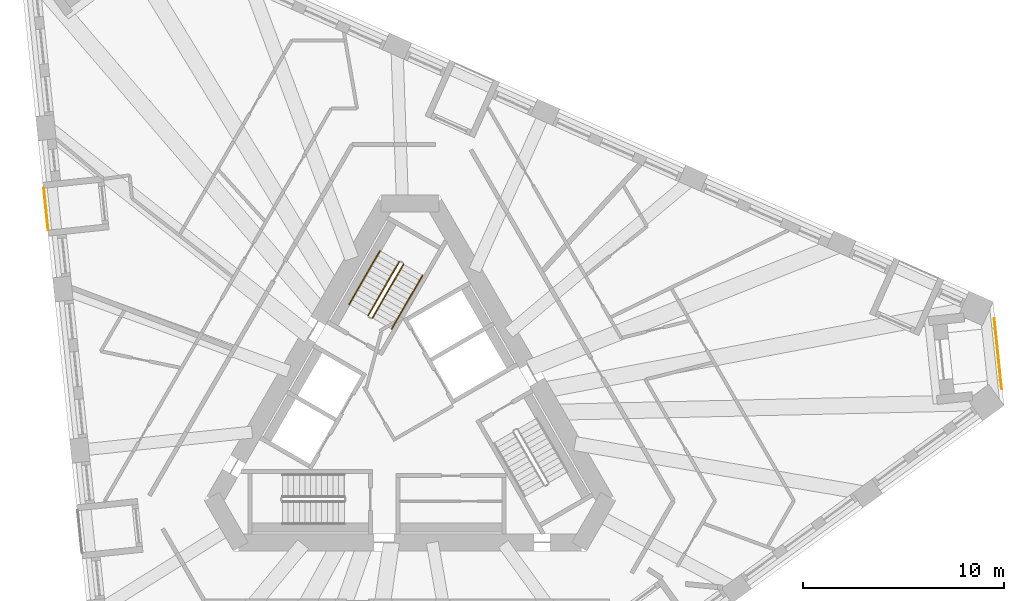
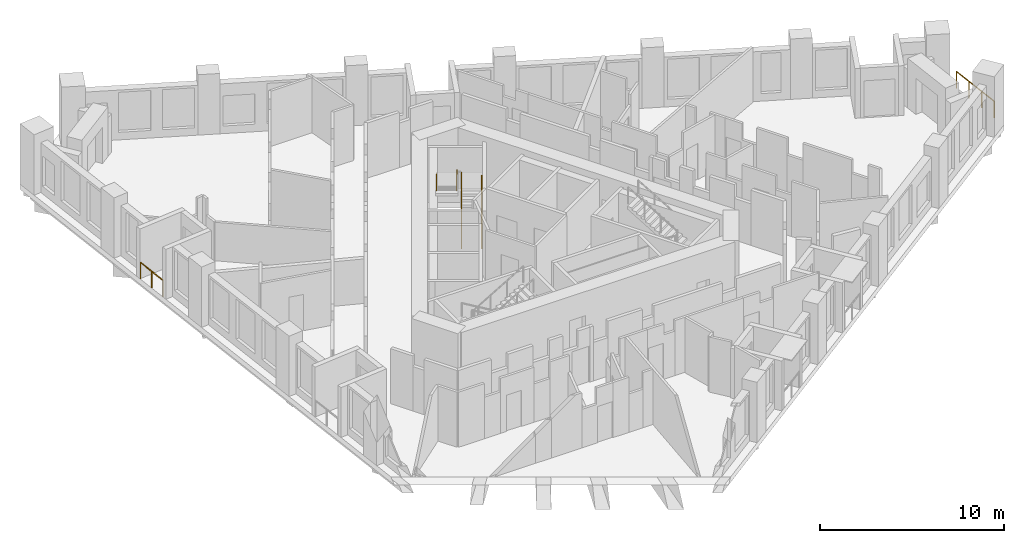
# One storey, part 12 of 14: 6 railings.
"""IFC4 building model written with IfcOpenShell, lengths in metres."""

from ifc_helpers import new_model, si_unit, direction, frame, origin, origin_2d, place, context, subcontext, project, spatial, circle, extrude, material, type_object, element, save


model = new_model("IFC4")

# Units and contexts
model_context = context("Model", 3, precision=1e-05, world=origin(), true_north=direction((0.0, 1.0)))
body_context = subcontext(model_context, "Body", "Model", "MODEL_VIEW")
ifc_project = project(units=[si_unit("LENGTHUNIT", "METRE"), si_unit("AREAUNIT", "SQUARE_METRE"), si_unit("VOLUMEUNIT", "CUBIC_METRE"), si_unit("PLANEANGLEUNIT", "RADIAN"), si_unit("MASSUNIT", "GRAM", prefix="KILO")], contexts=[model_context])

# Site, building, storey
site_placement = place(None, origin())
site = spatial("IfcSite", under=ifc_project, at=site_placement, CompositionType="ELEMENT")
building_placement = place(site_placement, origin())
building = spatial("IfcBuilding", under=site, at=building_placement, Name="Tramontana Tower", CompositionType="ELEMENT")
storey_placement = place(building_placement, frame((0.0, 0.0, 190.800048828125)))
storey = spatial("IfcBuildingStorey", under=building, at=storey_placement, Name="L44", CompositionType="ELEMENT", Elevation=190.800048828125)

# Railings
ifc_material_1 = material(Name="Laminated glass balustrade", Category="glass")
railing_type_1 = type_object("IfcRailingType", Name="GD1 Loggia glass balustrade 1100", PredefinedType="BALUSTRADE", material=ifc_material_1)
railing_1_placement = place(storey_placement, frame((-18.25390625, 11.325439453125, 0.0)))
element("IfcRailing", 1, at=railing_1_placement, inside=storey, type_object=railing_type_1, Name="Loggia balustrade L44 G4S0.4", PredefinedType="BALUSTRADE", context=body_context, shape_type="SweptSolid", body=[
    extrude(circle(Radius=0.02392578125, at=origin_2d()), frame((0.0, 0.0, 1.076171875), z_axis=(0.104569484464, -0.994517583011, 0.0), x_axis=(0.994517583011, 0.104569484464, 0.0)), (0.0, 0.0, 1.0), 2.09423828125),
    extrude(circle(Radius=0.02099609375, at=origin_2d()), origin(), (0.0, 0.0, 1.0), 1.052001953125),
    extrude(circle(Radius=0.02099609375, at=origin_2d()), frame((0.109375, -1.04150390625, 0.0)), (0.0, 0.0, 1.0), 1.052001953125),
    extrude(circle(Radius=0.02099609375, at=origin_2d()), frame((0.218994140625, -2.082763671875, 0.0)), (0.0, 0.0, 1.0), 1.052001953125),
])
railing_2_placement = place(storey_placement, frame((29.125732421875, 4.82080078125, 0.0)))
element("IfcRailing", 2, at=railing_2_placement, inside=storey, type_object=railing_type_1, Name="Corner loggia balustrade L44 K42", PredefinedType="BALUSTRADE", context=body_context, shape_type="SweptSolid", body=[
    extrude(circle(Radius=0.02392578125, at=origin_2d()), frame((0.0, 0.0, 1.076171875), z_axis=(0.104495960989, -0.994525310958, 0.0), x_axis=(0.994525310958, 0.104495960989, 0.0)), (0.0, 0.0, 1.0), 3.499755859375),
    extrude(circle(Radius=0.02099609375, at=origin_2d()), origin(), (0.0, 0.0, 1.0), 1.052001953125),
    extrude(circle(Radius=0.02099609375, at=origin_2d()), frame((0.121826171875, -1.16015625, 0.0)), (0.0, 0.0, 1.0), 1.052001953125),
    extrude(circle(Radius=0.02099609375, at=origin_2d()), frame((0.243896484375, -2.320556640625, 0.0)), (0.0, 0.0, 1.0), 1.052001953125),
    extrude(circle(Radius=0.02099609375, at=origin_2d()), frame((0.36572265625, -3.480712890625, 0.0)), (0.0, 0.0, 1.0), 1.052001953125),
])
ifc_material_2 = material(Name="Painted steel", Category="steel")
railing_type_2 = type_object("IfcRailingType", Name="STAIR GUARD 1100", PredefinedType="GUARDRAIL", material=ifc_material_2)
railing_3_placement = place(storey_placement, frame((-1.867431640625, 4.865478515625, 0.16650390625)))
element("IfcRailing", 3, at=railing_3_placement, inside=storey, type_object=railing_type_2, Name="L44 ST1 stair guard 1", PredefinedType="GUARDRAIL", context=body_context, shape_type="SweptSolid", body=[
    extrude(circle(Radius=0.02392578125, at=origin_2d()), frame((0.0, 0.0, 1.076171875), z_axis=(0.429634447492, 0.7441639146, 0.511502013422), x_axis=(-0.866029832698, 0.499992328818, 0.0)), (0.0, 0.0, 1.0), 3.58447265625),
    extrude(circle(Radius=0.02099609375, at=origin_2d()), origin(), (0.0, 0.0, 1.0), 1.052001953125),
    extrude(circle(Radius=0.02099609375, at=origin_2d()), frame((0.513427734375, 0.88916015625, 0.611083984375)), (0.0, 0.0, 1.0), 1.052001953125),
    extrude(circle(Radius=0.02099609375, at=origin_2d()), frame((1.026611328125, 1.7783203125, 1.222412109375)), (0.0, 0.0, 1.0), 1.052001953125),
    extrude(circle(Radius=0.02099609375, at=origin_2d()), frame((1.5400390625, 2.66748046875, 1.83349609375)), (0.0, 0.0, 1.0), 1.052001953125),
])
railing_4_placement = place(storey_placement, frame((-0.5439453125, 7.657958984375, 2.16650390625)))
element("IfcRailing", 4, at=railing_4_placement, inside=storey, type_object=railing_type_2, Name="L44 ST1 stair guard 2", PredefinedType="GUARDRAIL", context=body_context, shape_type="SweptSolid", body=[
    extrude(circle(Radius=0.02392578125, at=origin_2d()), frame((0.0, 0.0, 1.076171875), z_axis=(-0.429634447492, -0.7441639146, 0.511502013422), x_axis=(0.866029832698, -0.499992328818, 0.0)), (0.0, 0.0, 1.0), 3.58447265625),
    extrude(circle(Radius=0.02099609375, at=origin_2d()), origin(), (0.0, 0.0, 1.0), 1.052001953125),
    extrude(circle(Radius=0.02099609375, at=origin_2d()), frame((-0.513427734375, -0.88916015625, 0.611083984375)), (0.0, 0.0, 1.0), 1.052001953125),
    extrude(circle(Radius=0.02099609375, at=origin_2d()), frame((-1.026611328125, -1.7783203125, 1.222412109375)), (0.0, 0.0, 1.0), 1.052001953125),
    extrude(circle(Radius=0.02099609375, at=origin_2d()), frame((-1.5400390625, -2.66748046875, 1.83349609375)), (0.0, 0.0, 1.0), 1.052001953125),
])
ifc_material_3 = material(Name="Painted steel", Category="steel")
railing_type_3 = type_object("IfcRailingType", Name="STAIR HANDRAIL 900", PredefinedType="HANDRAIL", material=ifc_material_3)
railing_5_placement = place(storey_placement, frame((-0.914794921875, 4.315673828125, 0.16650390625)))
element("IfcRailing", 5, at=railing_5_placement, inside=storey, type_object=railing_type_3, Name="L44 ST1 stair handrail 1", PredefinedType="HANDRAIL", context=body_context, shape_type="SweptSolid", body=[
    extrude(circle(Radius=0.02392578125, at=origin_2d()), frame((0.0, 0.0, 0.8759765625), z_axis=(0.429656224001, 0.744133520484, 0.511527939481), x_axis=(-0.866010015463, 0.500026652407, 0.0)), (0.0, 0.0, 1.0), 3.58447265625),
    extrude(circle(Radius=0.02099609375, at=origin_2d()), origin(), (0.0, 0.0, 1.0), 0.851806640625),
    extrude(circle(Radius=0.02099609375, at=origin_2d()), frame((0.513427734375, 0.88916015625, 0.611083984375)), (0.0, 0.0, 1.0), 0.851806640625),
    extrude(circle(Radius=0.02099609375, at=origin_2d()), frame((1.026611328125, 1.778076171875, 1.222412109375)), (0.0, 0.0, 1.0), 0.851806640625),
    extrude(circle(Radius=0.02099609375, at=origin_2d()), frame((1.5400390625, 2.667236328125, 1.83349609375)), (0.0, 0.0, 1.0), 0.851806640625),
])
railing_6_placement = place(storey_placement, frame((-1.49658203125, 8.2080078125, 2.16650390625)))
element("IfcRailing", 6, at=railing_6_placement, inside=storey, type_object=railing_type_3, Name="L44 ST1 stair handrail 2", PredefinedType="HANDRAIL", context=body_context, shape_type="SweptSolid", body=[
    extrude(circle(Radius=0.02392578125, at=origin_2d()), frame((0.0, 0.0, 0.8759765625), z_axis=(-0.429634447492, -0.7441639146, 0.511502013422), x_axis=(0.866029832698, -0.499992328818, 0.0)), (0.0, 0.0, 1.0), 3.58447265625),
    extrude(circle(Radius=0.02099609375, at=origin_2d()), origin(), (0.0, 0.0, 1.0), 0.851806640625),
    extrude(circle(Radius=0.02099609375, at=origin_2d()), frame((-0.513427734375, -0.88916015625, 0.611083984375)), (0.0, 0.0, 1.0), 0.851806640625),
    extrude(circle(Radius=0.02099609375, at=origin_2d()), frame((-1.026611328125, -1.7783203125, 1.222412109375)), (0.0, 0.0, 1.0), 0.851806640625),
    extrude(circle(Radius=0.02099609375, at=origin_2d()), frame((-1.5400390625, -2.66748046875, 1.83349609375)), (0.0, 0.0, 1.0), 0.851806640625),
])

save(model, "model.ifc")
